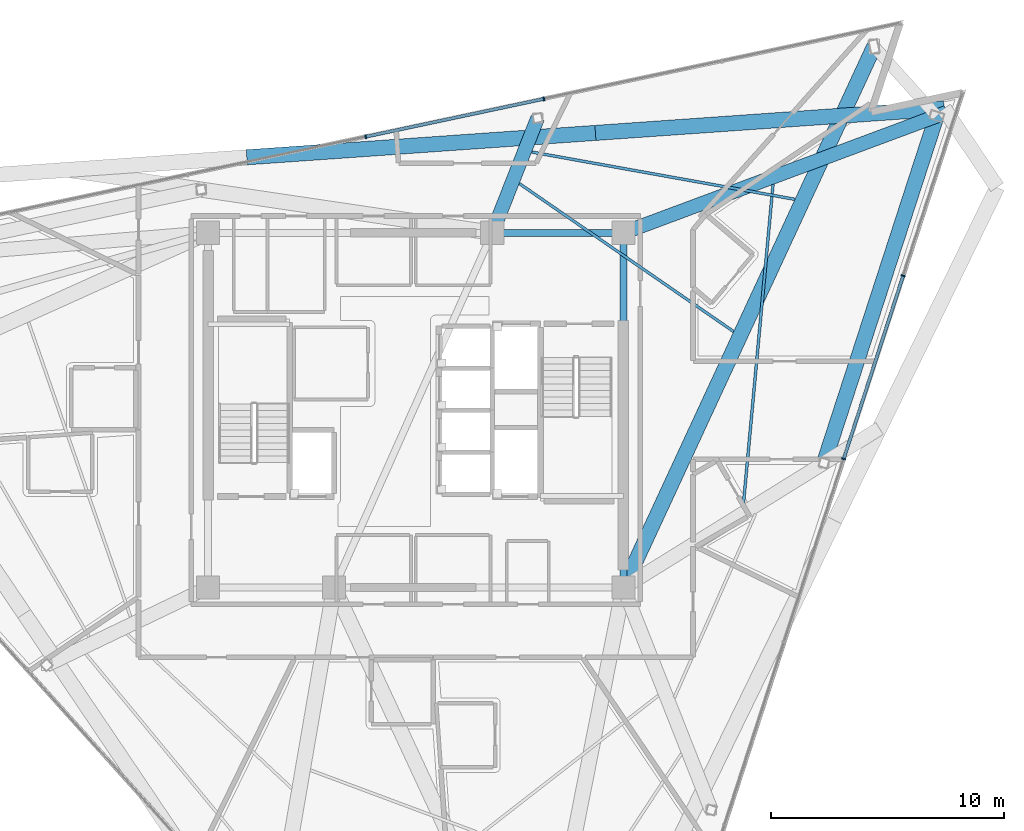
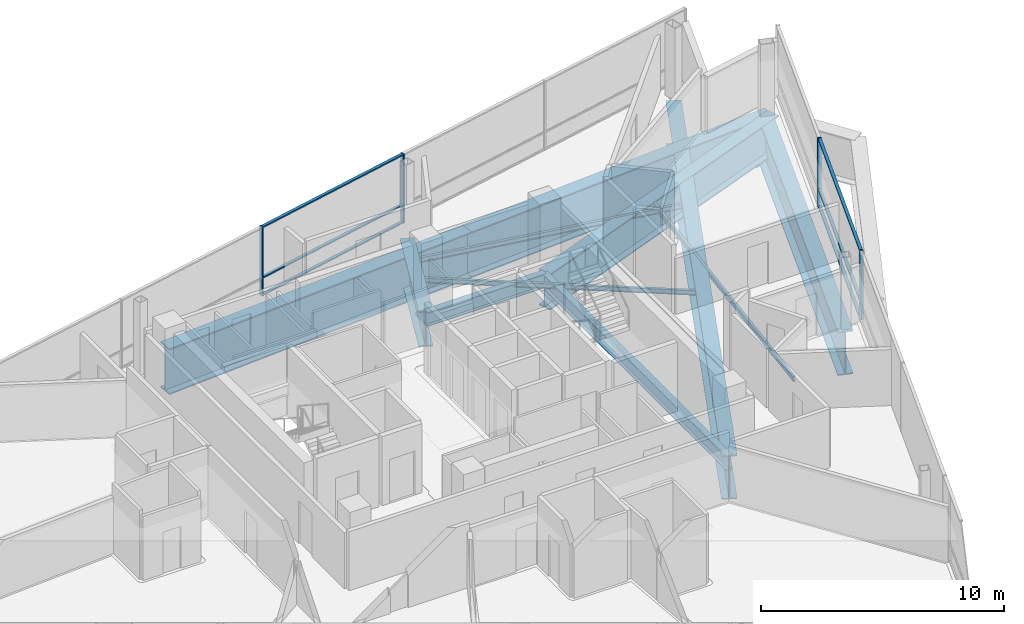
# One storey, part 7 of 18: 11 beams, 10 members, 2 elements without a shape of their own.
"""IFC4 building model written with IfcOpenShell, lengths in metres."""

from ifc_helpers import new_model, si_unit, direction, frame, origin, origin_2d, place, context, subcontext, project, spatial, rectangle, i_section, extrude, material, layer, layer_set, material_profile, profile_set, type_object, element, aggregate, save


model = new_model("IFC4")

# Units and contexts
model_context = context("Model", 3, precision=1e-05, world=origin(), true_north=direction((0.0, 1.0)))
body_context = subcontext(model_context, "Body", "Model", "MODEL_VIEW")
ifc_project = project(units=[si_unit("LENGTHUNIT", "METRE"), si_unit("AREAUNIT", "SQUARE_METRE"), si_unit("VOLUMEUNIT", "CUBIC_METRE"), si_unit("PLANEANGLEUNIT", "RADIAN"), si_unit("MASSUNIT", "GRAM", prefix="KILO")], contexts=[model_context])

# Site, building, storey
site_placement = place(None, origin())
site = spatial("IfcSite", under=ifc_project, at=site_placement, CompositionType="ELEMENT")
building_placement = place(site_placement, origin())
building = spatial("IfcBuilding", under=site, at=building_placement, Name="Tharavind Bronze Gate", CompositionType="ELEMENT")
storey_placement = place(building_placement, frame((0.0, 0.0, 279.75)))
storey = spatial("IfcBuildingStorey", under=building, at=storey_placement, Name="L72", CompositionType="ELEMENT", Elevation=279.75)

# Curtain wall, members
ifc_material_1 = material(Name="Anodised Bronze Aluminium", Category="aluminium")
ifc_layer = layer(ifc_material_1, 0.219970703125)
ifc_layer_set = layer_set([ifc_layer], Name="Anodised Bronze Aluminium")
curtain_wall_type = type_object("IfcCurtainWallType", Name="UNITISED CURTAIN WALL CROWN", PredefinedType="USERDEFINED", material=ifc_layer_set)
curtain_wall_1_placement = place(storey_placement, origin())
curtain_wall_1 = element("IfcCurtainWall", 1, at=curtain_wall_1_placement, inside=storey, type_object=curtain_wall_type, Name="L72 unitised curtain wall crown CW-L72-S2", ObjectType="UNITISED CURTAIN WALL", PredefinedType="USERDEFINED")
member_type_1 = type_object("IfcMemberType", Name="CURTAIN WALL BRONZE MULLION 65X180", PredefinedType="MULLION", material=ifc_material_1)
member_1_placement = place(storey_placement, frame((18.336181640625, -2.08544921875, 0.0), z_axis=(0.0, 0.0, 1.0), x_axis=(0.309016994375, 0.951056516295, 0.0)))
member_1 = element("IfcMember", 2, at=member_1_placement, type_object=member_type_1, Name="CW-L72-S2 mullion 5", PredefinedType="MULLION", context=body_context, shape_type="SweptSolid", body=[
    extrude(rectangle(XDim=0.06494140625, YDim=0.179931640625, at=origin_2d()), origin(), (0.0, 0.0, 1.0), 3.465087890625),
])
member_2_placement = place(storey_placement, frame((20.885009765625, 5.759033203125, 0.0), z_axis=(0.0, 0.0, 1.0), x_axis=(0.309016994375, 0.951056516295, 0.0)))
member_2 = element("IfcMember", 3, at=member_2_placement, type_object=member_type_1, Name="CW-L72-S2 mullion 6", PredefinedType="MULLION", context=body_context, shape_type="SweptSolid", body=[
    extrude(rectangle(XDim=0.06494140625, YDim=0.179931640625, at=origin_2d()), origin(), (0.0, 0.0, 1.0), 3.465087890625),
])

curtain_wall_2_placement = place(storey_placement, origin())
curtain_wall_2 = element("IfcCurtainWall", 4, at=curtain_wall_2_placement, inside=storey, type_object=curtain_wall_type, Name="L72 unitised curtain wall crown CW-L72-S3", ObjectType="UNITISED CURTAIN WALL", PredefinedType="USERDEFINED")
member_3_placement = place(storey_placement, frame((5.487548828125, 13.33740234375, 0.0), z_axis=(0.0, 0.0, 1.0), x_axis=(-0.978147237858, -0.207913398007, 0.0)))
member_3 = element("IfcMember", 5, at=member_3_placement, type_object=member_type_1, Name="CW-L72-S3 mullion 3", PredefinedType="MULLION", context=body_context, shape_type="SweptSolid", body=[
    extrude(rectangle(XDim=0.06494140625, YDim=0.179931640625, at=origin_2d()), origin(), (0.0, 0.0, 1.0), 3.465087890625),
])
member_4_placement = place(storey_placement, frame((-2.14453125, 11.715087890625, 0.0), z_axis=(0.0, 0.0, 1.0), x_axis=(-0.978147237858, -0.207913398007, 0.0)))
member_4 = element("IfcMember", 6, at=member_4_placement, type_object=member_type_1, Name="CW-L72-S3 mullion 4", PredefinedType="MULLION", context=body_context, shape_type="SweptSolid", body=[
    extrude(rectangle(XDim=0.06494140625, YDim=0.179931640625, at=origin_2d()), origin(), (0.0, 0.0, 1.0), 3.465087890625),
])

# Member
member_type_2 = type_object("IfcMemberType", Name="CURTAIN WALL BRONZE TRANSOM 65X140", PredefinedType="USERDEFINED", material=ifc_material_1)
member_5_placement = place(storey_placement, frame((19.610595703125, 1.8369140625, 0.0), z_axis=(0.0, 0.0, 1.0), x_axis=(0.309016994375, 0.951056516295, 0.0)))
member_5 = element("IfcMember", 7, at=member_5_placement, type_object=member_type_2, Name="CW-L72-S2 transom TB5", ObjectType="TRANSOM", PredefinedType="USERDEFINED", context=body_context, shape_type="SweptSolid", body=[
    extrude(rectangle(XDim=8.195068359375, YDim=0.139892578125, at=origin_2d()), origin(), (0.0, 0.0, 1.0), 0.06494140625),
])

member_6_placement = place(storey_placement, frame((19.610595703125, 1.8369140625, 0.867431640625), z_axis=(0.0, 0.0, 1.0), x_axis=(0.309016994375, 0.951056516295, 0.0)))
member_6 = element("IfcMember", 8, at=member_6_placement, type_object=member_type_2, Name="CW-L72-S2 transom TS5", ObjectType="TRANSOM", PredefinedType="USERDEFINED", context=body_context, shape_type="SweptSolid", body=[
    extrude(rectangle(XDim=8.195068359375, YDim=0.139892578125, at=origin_2d()), origin(), (0.0, 0.0, 1.0), 0.06494140625),
])

member_7_placement = place(storey_placement, frame((19.610595703125, 1.8369140625, 3.400146484375), z_axis=(0.0, 0.0, 1.0), x_axis=(0.309016994375, 0.951056516295, 0.0)))
member_7 = element("IfcMember", 9, at=member_7_placement, type_object=member_type_2, Name="CW-L72-S2 transom TT5", ObjectType="TRANSOM", PredefinedType="USERDEFINED", context=body_context, shape_type="SweptSolid", body=[
    extrude(rectangle(XDim=8.195068359375, YDim=0.139892578125, at=origin_2d()), origin(), (0.0, 0.0, 1.0), 0.06494140625),
])

aggregate(curtain_wall_1, [member_1, member_2, member_5, member_6, member_7])

member_8_placement = place(storey_placement, frame((1.67138671875, 12.526123046875, 0.0), z_axis=(0.0, 0.0, 1.0), x_axis=(-0.978147237858, -0.207913398007, 0.0)))
member_8 = element("IfcMember", 10, at=member_8_placement, type_object=member_type_2, Name="CW-L72-S3 transom TB3", ObjectType="TRANSOM", PredefinedType="USERDEFINED", context=body_context, shape_type="SweptSolid", body=[
    extrude(rectangle(XDim=7.749755859375, YDim=0.139892578125, at=origin_2d()), origin(), (0.0, 0.0, 1.0), 0.06494140625),
])

member_9_placement = place(storey_placement, frame((1.67138671875, 12.526123046875, 0.867431640625), z_axis=(0.0, 0.0, 1.0), x_axis=(-0.978147237858, -0.207913398007, 0.0)))
member_9 = element("IfcMember", 11, at=member_9_placement, type_object=member_type_2, Name="CW-L72-S3 transom TS3", ObjectType="TRANSOM", PredefinedType="USERDEFINED", context=body_context, shape_type="SweptSolid", body=[
    extrude(rectangle(XDim=7.749755859375, YDim=0.139892578125, at=origin_2d()), origin(), (0.0, 0.0, 1.0), 0.06494140625),
])

member_10_placement = place(storey_placement, frame((1.67138671875, 12.526123046875, 3.400146484375), z_axis=(0.0, 0.0, 1.0), x_axis=(-0.978147237858, -0.207913398007, 0.0)))
member_10 = element("IfcMember", 12, at=member_10_placement, type_object=member_type_2, Name="CW-L72-S3 transom TT3", ObjectType="TRANSOM", PredefinedType="USERDEFINED", context=body_context, shape_type="SweptSolid", body=[
    extrude(rectangle(XDim=7.749755859375, YDim=0.139892578125, at=origin_2d()), origin(), (0.0, 0.0, 1.0), 0.06494140625),
])

aggregate(curtain_wall_2, [member_3, member_4, member_8, member_9, member_10])

# Beams
ifc_material_2 = material(Name="Steel S355", Category="steel")
ifc_material_profile_1 = material_profile(ifc_material_2, i_section(OverallWidth=0.300048828125, OverallDepth=0.699951171875, WebThickness=0.01708984375, FlangeThickness=0.031982421875, at=origin_2d()), Name="HE700B")
ifc_profile_set_1 = profile_set([ifc_material_profile_1], Name="Steel S355")
beam_type_1 = type_object("IfcBeamType", Name="RING GIRDER HE700B", PredefinedType="USERDEFINED", material=ifc_profile_set_1)
beam_1_placement = place(storey_placement, frame((8.89990234375, -7.60009765625, -0.5400390625), z_axis=(0.0, 1.0, 0.0), x_axis=(-1.0, 0.0, 0.0)))
element("IfcBeam", 13, at=beam_1_placement, inside=storey, type_object=beam_type_1, Name="L72 ring girder he700b BM-L72-CR3", ObjectType="GIRDER", PredefinedType="USERDEFINED", context=body_context, shape_type="SweptSolid", body=[
    extrude(i_section(OverallWidth=0.300048828125, OverallDepth=0.699951171875, WebThickness=0.01708984375, FlangeThickness=0.031982421875, at=origin_2d()), origin(), (0.0, 0.0, 1.0), 15.2001953125),
])
beam_2_placement = place(storey_placement, frame((8.89990234375, 7.60009765625, -0.5400390625), z_axis=(-1.0, 0.0, 0.0), x_axis=(0.0, -1.0, 0.0)))
element("IfcBeam", 14, at=beam_2_placement, inside=storey, type_object=beam_type_1, Name="L72 ring girder he700b BM-L72-CR4", ObjectType="GIRDER", PredefinedType="USERDEFINED", context=body_context, shape_type="SweptSolid", body=[
    extrude(i_section(OverallWidth=0.300048828125, OverallDepth=0.699951171875, WebThickness=0.01708984375, FlangeThickness=0.031982421875, at=origin_2d()), origin(), (0.0, 0.0, 1.0), 5.619873046875),
])
ifc_material_profile_2 = material_profile(ifc_material_2, i_section(OverallWidth=0.1201171875, OverallDepth=0.239990234375, WebThickness=0.006103515625, FlangeThickness=0.009765625, at=origin_2d()), Name="IPE240")
ifc_profile_set_2 = profile_set([ifc_material_profile_2], Name="Steel S355")
beam_type_2 = type_object("IfcBeamType", Name="SECONDARY FLOOR JOIST IPE240", PredefinedType="JOIST", material=ifc_profile_set_2)
beam_3_placement = place(storey_placement, frame((14.036376953125, -4.052978515625, -0.31005859375), z_axis=(0.092285422772, 0.995732594999, 0.0), x_axis=(-0.995732594999, 0.092285422772, 0.0)))
element("IfcBeam", 15, at=beam_3_placement, inside=storey, type_object=beam_type_2, Name="L72 secondary floor joist ipe240 BM-L72-JSTA07", PredefinedType="JOIST", context=body_context, shape_type="SweptSolid", body=[
    extrude(i_section(OverallWidth=0.1201171875, OverallDepth=0.239990234375, WebThickness=0.006103515625, FlangeThickness=0.009765625, at=origin_2d()), origin(), (0.0, 0.0, 1.0), 13.775146484375),
])
beam_4_placement = place(storey_placement, frame((13.6181640625, 3.36767578125, -0.31005859375), z_axis=(-0.822827461189, 0.568291271368, 0.0), x_axis=(-0.568291271368, -0.822827461189, 0.0)))
element("IfcBeam", 16, at=beam_4_placement, inside=storey, type_object=beam_type_2, Name="L72 secondary floor joist ipe240 BM-L72-JSTA09", PredefinedType="JOIST", context=body_context, shape_type="SweptSolid", body=[
    extrude(i_section(OverallWidth=0.1201171875, OverallDepth=0.239990234375, WebThickness=0.006103515625, FlangeThickness=0.009765625, at=origin_2d()), origin(), (0.0, 0.0, 1.0), 11.156005859375),
])
beam_5_placement = place(storey_placement, frame((16.24267578125, 9.03271484375, -0.31005859375), z_axis=(-0.984226117368, 0.176915092321, 0.0), x_axis=(-0.176915092321, -0.984226117368, 0.0)))
element("IfcBeam", 17, at=beam_5_placement, inside=storey, type_object=beam_type_2, Name="L72 secondary floor joist ipe240 BM-L72-JSTB09", PredefinedType="JOIST", context=body_context, shape_type="SweptSolid", body=[
    extrude(i_section(OverallWidth=0.1201171875, OverallDepth=0.239990234375, WebThickness=0.006103515625, FlangeThickness=0.009765625, at=origin_2d()), origin(), (0.0, 0.0, 1.0), 11.451171875),
])
ifc_material_3 = material(Name="Steel S460", Category="steel")
ifc_material_profile_3 = material_profile(ifc_material_3, i_section(OverallWidth=0.60009765625, OverallDepth=1.800048828125, WebThickness=0.031982421875, FlangeThickness=0.054931640625, at=origin_2d()), Name="PG1800X600")
ifc_profile_set_3 = profile_set([ifc_material_profile_3], Name="Steel S460")
beam_type_3 = type_object("IfcBeamType", Name="TRANSFER GIRDER 1800X600", PredefinedType="USERDEFINED", material=ifc_profile_set_3)
beam_6_placement = place(storey_placement, frame((8.89990234375, 7.60009765625, -1.090087890625), z_axis=(0.937077981552, 0.349120117567, 0.0), x_axis=(-0.349120117567, 0.937077981552, 0.0)))
element("IfcBeam", 18, at=beam_6_placement, inside=storey, type_object=beam_type_3, Name="L72 transfer girder 1800x600 BM-L72-XFR08", ObjectType="TRANSFER GIRDER", PredefinedType="USERDEFINED", context=body_context, shape_type="SweptSolid", body=[
    extrude(i_section(OverallWidth=0.60009765625, OverallDepth=1.800048828125, WebThickness=0.031982421875, FlangeThickness=0.054931640625, at=origin_2d()), origin(), (0.0, 0.0, 1.0), 14.77685546875),
])
beam_7_placement = place(storey_placement, frame((3.280029296875, 7.60009765625, -1.090087890625), z_axis=(0.367227563748, 0.930131128618, 0.0), x_axis=(-0.930131128618, 0.367227563748, 0.0)))
element("IfcBeam", 19, at=beam_7_placement, inside=storey, type_object=beam_type_3, Name="L72 transfer girder 1800x600 BM-L72-XFR10", ObjectType="TRANSFER GIRDER", PredefinedType="USERDEFINED", context=body_context, shape_type="SweptSolid", body=[
    extrude(i_section(OverallWidth=0.60009765625, OverallDepth=1.800048828125, WebThickness=0.031982421875, FlangeThickness=0.054931640625, at=origin_2d()), origin(), (0.0, 0.0, 1.0), 5.28271484375),
])
ifc_material_profile_4 = material_profile(ifc_material_3, i_section(OverallWidth=0.64990234375, OverallDepth=2.199951171875, WebThickness=0.035888671875, FlangeThickness=0.054931640625, at=origin_2d()), Name="PG2200X650")
ifc_profile_set_4 = profile_set([ifc_material_profile_4], Name="Steel S460")
beam_type_4 = type_object("IfcBeamType", Name="TRANSFER GIRDER 2200X650", PredefinedType="USERDEFINED", material=ifc_profile_set_4)
beam_8_placement = place(storey_placement, frame((17.4892578125, -2.265380859375, -1.2900390625), z_axis=(0.309011547215, 0.951058286168, 0.0), x_axis=(-0.951058286168, 0.309011547215, 0.0)))
element("IfcBeam", 20, at=beam_8_placement, inside=storey, type_object=beam_type_4, Name="L72 transfer girder 2200x650 BM-L72-URG07", ObjectType="TRANSFER GIRDER", PredefinedType="USERDEFINED", context=body_context, shape_type="SweptSolid", body=[
    extrude(i_section(OverallWidth=0.64990234375, OverallDepth=2.199951171875, WebThickness=0.035888671875, FlangeThickness=0.054931640625, at=origin_2d()), origin(), (0.0, 0.0, 1.0), 15.6298828125),
])
beam_9_placement = place(storey_placement, frame((8.89990234375, -7.60009765625, -1.2900390625), z_axis=(0.420337810136, 0.907367690283, 0.0), x_axis=(-0.907367690283, 0.420337810136, 0.0)))
element("IfcBeam", 21, at=beam_9_placement, inside=storey, type_object=beam_type_4, Name="L72 transfer girder 2200x650 BM-L72-XFR09", ObjectType="TRANSFER GIRDER", PredefinedType="USERDEFINED", context=body_context, shape_type="SweptSolid", body=[
    extrude(i_section(OverallWidth=0.64990234375, OverallDepth=2.199951171875, WebThickness=0.035888671875, FlangeThickness=0.054931640625, at=origin_2d()), origin(), (0.0, 0.0, 1.0), 25.54443359375),
])
ifc_material_profile_5 = material_profile(ifc_material_3, i_section(OverallWidth=0.64990234375, OverallDepth=2.300048828125, WebThickness=0.035888671875, FlangeThickness=0.05810546875, at=origin_2d()), Name="PG2300X650")
ifc_profile_set_5 = profile_set([ifc_material_profile_5], Name="Steel S460")
beam_type_5 = type_object("IfcBeamType", Name="TRANSFER GIRDER 2300X650", PredefinedType="USERDEFINED", material=ifc_profile_set_5)
for number, where, z_axis, x_axis, name in (
    (22, (22.636962890625, 12.92236328125, -1.340087890625), (-0.997563609873, -0.069762771286, 0.0), (0.069762771286, -0.997563609873, 0.0), "L72 transfer girder 2300x650 BM-L72-LRG09"),
    (23, (7.69873046875, 11.877685546875, -1.340087890625), (-0.997563609873, -0.069762771286, 0.0), (0.069762771286, -0.997563609873, 0.0), "L72 transfer girder 2300x650 BM-L72-LRG10"),
):
    element("IfcBeam", number, at=place(storey_placement, frame(where, z_axis=z_axis, x_axis=x_axis)), inside=storey, type_object=beam_type_5, Name=name, ObjectType="TRANSFER GIRDER", PredefinedType="USERDEFINED", context=body_context, shape_type="SweptSolid", body=[
        extrude(i_section(OverallWidth=0.64990234375, OverallDepth=2.300048828125, WebThickness=0.035888671875, FlangeThickness=0.05810546875, at=origin_2d()), origin(), (0.0, 0.0, 1.0), 14.974609375),
    ])

save(model, "model.ifc")
